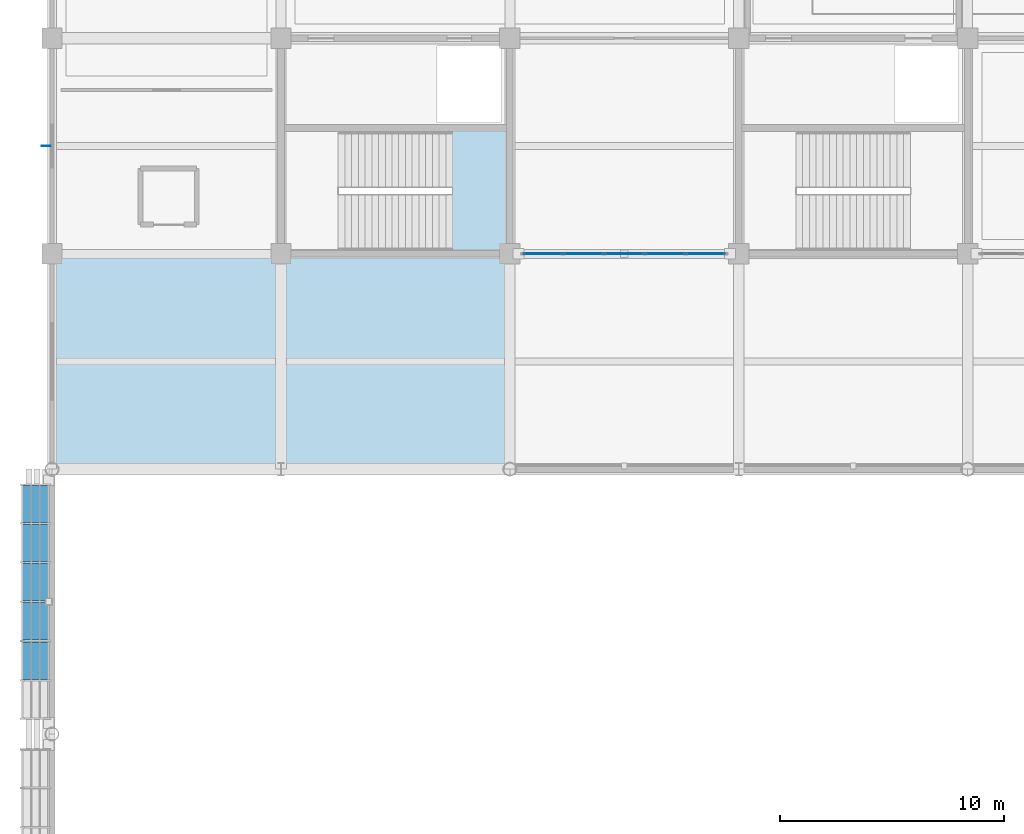
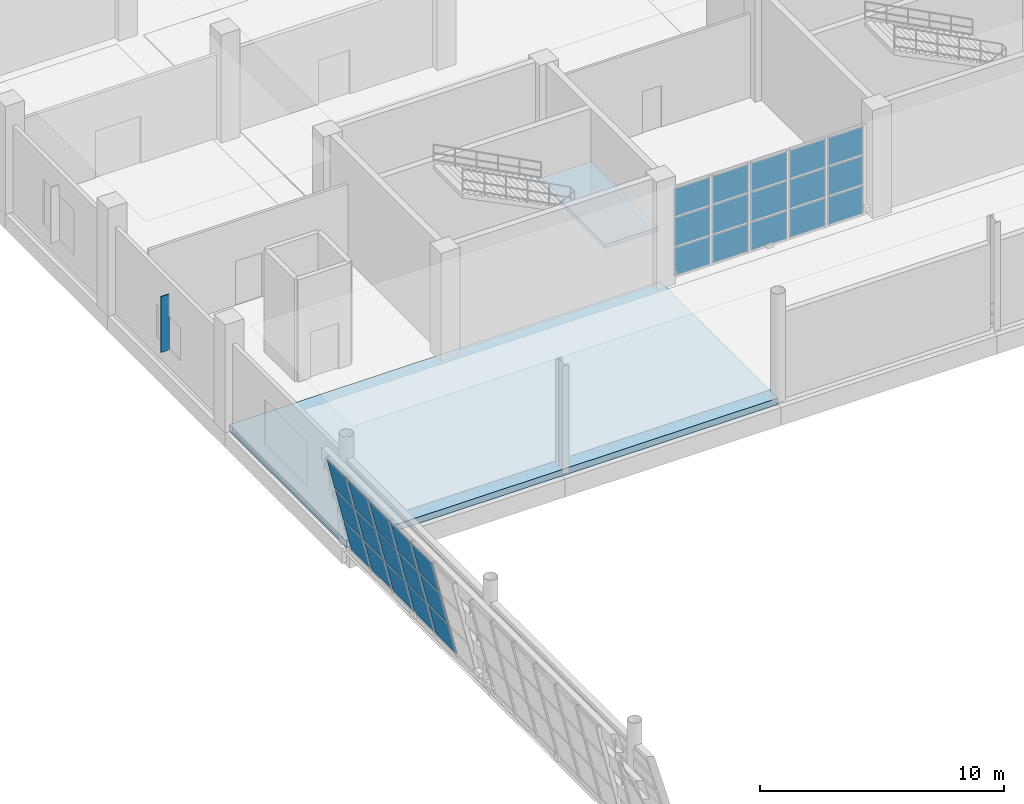
# One storey, part 108 of 175: 31 plates, 2 slabs, 3 elements without a shape of their own.
"""IFC4 building model written with IfcOpenShell, lengths in metres."""

from ifc_helpers import new_model, si_unit, direction, frame, origin, origin_2d, place, context, subcontext, project, spatial, polyline, rectangle, outline, extrude, material, layer, layer_set, type_object, element, aggregate, save


model = new_model("IFC4")

# Units and contexts
model_context = context("Model", 3, precision=1e-05, world=origin(), true_north=direction((0.0, 1.0)))
body_context = subcontext(model_context, "Body", "Model", "MODEL_VIEW")
ifc_project = project(units=[si_unit("LENGTHUNIT", "METRE"), si_unit("AREAUNIT", "SQUARE_METRE"), si_unit("VOLUMEUNIT", "CUBIC_METRE"), si_unit("PLANEANGLEUNIT", "RADIAN"), si_unit("MASSUNIT", "GRAM", prefix="KILO")], contexts=[model_context])

# Site, building, storey
site_placement = place(None, origin())
site = spatial("IfcSite", under=ifc_project, at=site_placement, CompositionType="ELEMENT")
building_placement = place(site_placement, origin())
building = spatial("IfcBuilding", under=site, at=building_placement, Name="Brelvane Convention Centre", CompositionType="ELEMENT")
storey_placement = place(building_placement, frame((0.0, 0.0, 5.39990234375)))
storey = spatial("IfcBuildingStorey", under=building, at=storey_placement, Name="L01", CompositionType="ELEMENT", Elevation=5.39990234375)

# Curtain wall, plates
ifc_material_1 = material(Name="Anodised Aluminium Alloy 6063-T6", Category="aluminium")
curtain_wall_type_1 = type_object("IfcCurtainWallType", Name="Curtain Wall CW-HULL-S", PredefinedType="USERDEFINED", material=ifc_material_1)
curtain_wall_1_placement = place(storey_placement, origin())
curtain_wall_1 = element("IfcCurtainWall", 1, at=curtain_wall_1_placement, inside=storey, type_object=curtain_wall_type_1, Name="Curtain Wall CW-HULL-S L01-HULL-W-L01-6", ObjectType="UNITISED", PredefinedType="USERDEFINED")
ifc_material_2 = material(Name="Double Glazed Low-E Laminated Unit")
ifc_layer_1 = layer(ifc_material_2, 0.031982421875)
ifc_layer_set_1 = layer_set([ifc_layer_1], Name="Double Glazed Low-E Laminated Unit")
plate_type_1 = type_object("IfcPlateType", Name="Curtain Panel CW-PG1", PredefinedType="CURTAIN_PANEL", material=ifc_layer_set_1)
plate_1_placement = place(storey_placement, frame((-0.543701171875, 90.237548828125, 1.74169921875), z_axis=(0.9735519665, 0.0, 0.22846568347), x_axis=(0.0, 1.0, 0.0)))
plate_1 = element("IfcPlate", 2, at=plate_1_placement, type_object=plate_type_1, Name="CW-HULL-S panel 2.2", PredefinedType="CURTAIN_PANEL", context=body_context, shape_type="SweptSolid", body=[
    extrude(outline(polyline([(0.0, 0.0), (1.675048828125, 0.0), (1.675048828125, 1.66061933454036), (0.0, 1.66061933454036), (0.0, 0.0)])), origin(), (0.0, 0.0, -1.0), 0.031982421875),
])
plate_2_placement = place(storey_placement, frame((-0.939453125, 90.237548828125, 3.428466796875), z_axis=(0.973592305748, 0.0, 0.228293719116), x_axis=(0.0, 1.0, 0.0)))
plate_2 = element("IfcPlate", 3, at=plate_2_placement, type_object=plate_type_1, Name="CW-HULL-S panel 2.3", PredefinedType="CURTAIN_PANEL", context=body_context, shape_type="SweptSolid", body=[
    extrude(outline(polyline([(0.0, 0.0), (1.675048828125, 0.0), (1.675048828125, 1.624440702142172), (0.0, 1.624440702142172), (0.0, 0.0)])), origin(), (0.0, 0.0, -1.0), 0.031982421875),
])
plate_3_placement = place(storey_placement, frame((-0.543701171875, 91.987548828125, 1.74169921875), z_axis=(0.9735519665, 0.0, 0.22846568347), x_axis=(0.0, 1.0, 0.0)))
plate_3 = element("IfcPlate", 4, at=plate_3_placement, type_object=plate_type_1, Name="CW-HULL-S panel 3.2", PredefinedType="CURTAIN_PANEL", context=body_context, shape_type="SweptSolid", body=[
    extrude(outline(polyline([(0.0, 0.0), (1.675048828125, 0.0), (1.675048828125, 1.66061933454036), (0.0, 1.66061933454036), (0.0, 0.0)])), origin(), (0.0, 0.0, -1.0), 0.031982421875),
])
plate_4_placement = place(storey_placement, frame((-0.939453125, 91.987548828125, 3.428466796875), z_axis=(0.973592305748, 0.0, 0.228293719116), x_axis=(0.0, 1.0, 0.0)))
plate_4 = element("IfcPlate", 5, at=plate_4_placement, type_object=plate_type_1, Name="CW-HULL-S panel 3.3", PredefinedType="CURTAIN_PANEL", context=body_context, shape_type="SweptSolid", body=[
    extrude(outline(polyline([(0.0, 0.0), (1.675048828125, 0.0), (1.675048828125, 1.624440702142172), (0.0, 1.624440702142172), (0.0, 0.0)])), origin(), (0.0, 0.0, -1.0), 0.031982421875),
])
plate_5_placement = place(storey_placement, frame((-0.543701171875, 93.737548828125, 1.74169921875), z_axis=(0.9735519665, 0.0, 0.22846568347), x_axis=(0.0, 1.0, 0.0)))
plate_5 = element("IfcPlate", 6, at=plate_5_placement, type_object=plate_type_1, Name="CW-HULL-S panel 4.2", PredefinedType="CURTAIN_PANEL", context=body_context, shape_type="SweptSolid", body=[
    extrude(outline(polyline([(0.0, 0.0), (1.675048828125, 0.0), (1.675048828125, 1.66061933454036), (0.0, 1.66061933454036), (0.0, 0.0)])), origin(), (0.0, 0.0, -1.0), 0.031982421875),
])
plate_6_placement = place(storey_placement, frame((-0.939453125, 93.737548828125, 3.428466796875), z_axis=(0.973592305748, 0.0, 0.228293719116), x_axis=(0.0, 1.0, 0.0)))
plate_6 = element("IfcPlate", 7, at=plate_6_placement, type_object=plate_type_1, Name="CW-HULL-S panel 4.3", PredefinedType="CURTAIN_PANEL", context=body_context, shape_type="SweptSolid", body=[
    extrude(outline(polyline([(0.0, 0.0), (1.675048828125, 0.0), (1.675048828125, 1.624440702142172), (0.0, 1.624440702142172), (0.0, 0.0)])), origin(), (0.0, 0.0, -1.0), 0.031982421875),
])
plate_7_placement = place(storey_placement, frame((-0.543701171875, 95.487548828125, 1.74169921875), z_axis=(0.9735519665, 0.0, 0.22846568347), x_axis=(0.0, 1.0, 0.0)))
plate_7 = element("IfcPlate", 8, at=plate_7_placement, type_object=plate_type_1, Name="CW-HULL-S panel 5.2", PredefinedType="CURTAIN_PANEL", context=body_context, shape_type="SweptSolid", body=[
    extrude(outline(polyline([(0.0, 0.0), (1.675048828125, 0.0), (1.675048828125, 1.66061933454036), (0.0, 1.66061933454036), (0.0, 0.0)])), origin(), (0.0, 0.0, -1.0), 0.031982421875),
])
plate_8_placement = place(storey_placement, frame((-0.939453125, 95.487548828125, 3.428466796875), z_axis=(0.973592305748, 0.0, 0.228293719116), x_axis=(0.0, 1.0, 0.0)))
plate_8 = element("IfcPlate", 9, at=plate_8_placement, type_object=plate_type_1, Name="CW-HULL-S panel 5.3", PredefinedType="CURTAIN_PANEL", context=body_context, shape_type="SweptSolid", body=[
    extrude(outline(polyline([(0.0, 0.0), (1.675048828125, 0.0), (1.675048828125, 1.624440702142172), (0.0, 1.624440702142172), (0.0, 0.0)])), origin(), (0.0, 0.0, -1.0), 0.031982421875),
])
plate_9_placement = place(storey_placement, frame((-0.543701171875, 97.237548828125, 1.74169921875), z_axis=(0.9735519665, 0.0, 0.22846568347), x_axis=(0.0, 1.0, 0.0)))
plate_9 = element("IfcPlate", 10, at=plate_9_placement, type_object=plate_type_1, Name="CW-HULL-S panel 6.2", PredefinedType="CURTAIN_PANEL", context=body_context, shape_type="SweptSolid", body=[
    extrude(outline(polyline([(0.0, 0.0), (1.637451171875, 0.0), (1.637451171875, 1.6606193345403597), (0.0, 1.6606193345403597), (0.0, 0.0)])), origin(), (0.0, 0.0, -1.0), 0.031982421875),
])
plate_10_placement = place(storey_placement, frame((-0.939453125, 97.237548828125, 3.428466796875), z_axis=(0.973592305748, 0.0, 0.228293719116), x_axis=(0.0, 1.0, 0.0)))
plate_10 = element("IfcPlate", 11, at=plate_10_placement, type_object=plate_type_1, Name="CW-HULL-S panel 6.3", PredefinedType="CURTAIN_PANEL", context=body_context, shape_type="SweptSolid", body=[
    extrude(outline(polyline([(0.0, 0.0), (1.637451171875, 0.0), (1.637451171875, 1.6244407021421723), (0.0, 1.6244407021421723), (0.0, 0.0)])), origin(), (0.0, 0.0, -1.0), 0.031982421875),
])

ifc_material_3 = material(Name="Anodised Aluminium Alloy 6063-T6", Category="aluminium")
curtain_wall_type_2 = type_object("IfcCurtainWallType", Name="Curtain Wall CW-COURT", PredefinedType="USERDEFINED", material=ifc_material_3)
curtain_wall_2_placement = place(storey_placement, origin())
curtain_wall_2 = element("IfcCurtainWall", 12, at=curtain_wall_2_placement, inside=storey, type_object=curtain_wall_type_2, Name="Curtain Wall CW-COURT L01-V4S-03", ObjectType="UNITISED", PredefinedType="USERDEFINED")
plate_11_placement = place(storey_placement, frame((21.878662109375, 109.199951171875, 0.070068359375), z_axis=(0.0, 0.0, 1.0), x_axis=(1.0, 0.0, 0.0)))
plate_11 = element("IfcPlate", 13, at=plate_11_placement, type_object=plate_type_1, Name="CW-COURT panel 1.1", PredefinedType="CURTAIN_PANEL", context=body_context, shape_type="SweptSolid", body=[
    extrude(rectangle(XDim=1.70751953125, YDim=0.031982421875, at=origin_2d()), origin(), (0.0, 0.0, 1.0), 1.39501953125),
])
plate_12_placement = place(storey_placement, frame((21.878662109375, 109.199951171875, 1.53515625), z_axis=(0.0, 0.0, 1.0), x_axis=(1.0, 0.0, 0.0)))
plate_12 = element("IfcPlate", 14, at=plate_12_placement, type_object=plate_type_1, Name="CW-COURT panel 1.2", PredefinedType="CURTAIN_PANEL", context=body_context, shape_type="SweptSolid", body=[
    extrude(rectangle(XDim=1.70751953125, YDim=0.031982421875, at=origin_2d()), origin(), (0.0, 0.0, 1.0), 1.429931640625),
])
plate_13_placement = place(storey_placement, frame((21.878662109375, 109.199951171875, 3.03515625), z_axis=(0.0, 0.0, 1.0), x_axis=(1.0, 0.0, 0.0)))
plate_13 = element("IfcPlate", 15, at=plate_13_placement, type_object=plate_type_1, Name="CW-COURT panel 1.3", PredefinedType="CURTAIN_PANEL", context=body_context, shape_type="SweptSolid", body=[
    extrude(rectangle(XDim=1.70751953125, YDim=0.031982421875, at=origin_2d()), origin(), (0.0, 0.0, 1.0), 1.39501953125),
])
plate_14_placement = place(storey_placement, frame((23.679931640625, 109.199951171875, 0.070068359375), z_axis=(0.0, 0.0, 1.0), x_axis=(1.0, 0.0, 0.0)))
plate_14 = element("IfcPlate", 16, at=plate_14_placement, type_object=plate_type_1, Name="CW-COURT panel 2.1", PredefinedType="CURTAIN_PANEL", context=body_context, shape_type="SweptSolid", body=[
    extrude(rectangle(XDim=1.7451171875, YDim=0.031982421875, at=origin_2d()), origin(), (0.0, 0.0, 1.0), 1.39501953125),
])
plate_15_placement = place(storey_placement, frame((23.679931640625, 109.199951171875, 1.53515625), z_axis=(0.0, 0.0, 1.0), x_axis=(1.0, 0.0, 0.0)))
plate_15 = element("IfcPlate", 17, at=plate_15_placement, type_object=plate_type_1, Name="CW-COURT panel 2.2", PredefinedType="CURTAIN_PANEL", context=body_context, shape_type="SweptSolid", body=[
    extrude(rectangle(XDim=1.7451171875, YDim=0.031982421875, at=origin_2d()), origin(), (0.0, 0.0, 1.0), 1.429931640625),
])
plate_16_placement = place(storey_placement, frame((23.679931640625, 109.199951171875, 3.03515625), z_axis=(0.0, 0.0, 1.0), x_axis=(1.0, 0.0, 0.0)))
plate_16 = element("IfcPlate", 18, at=plate_16_placement, type_object=plate_type_1, Name="CW-COURT panel 2.3", PredefinedType="CURTAIN_PANEL", context=body_context, shape_type="SweptSolid", body=[
    extrude(rectangle(XDim=1.7451171875, YDim=0.031982421875, at=origin_2d()), origin(), (0.0, 0.0, 1.0), 1.39501953125),
])
plate_17_placement = place(storey_placement, frame((25.5, 109.199951171875, 0.070068359375), z_axis=(0.0, 0.0, 1.0), x_axis=(1.0, 0.0, 0.0)))
plate_17 = element("IfcPlate", 19, at=plate_17_placement, type_object=plate_type_1, Name="CW-COURT panel 3.1", PredefinedType="CURTAIN_PANEL", context=body_context, shape_type="SweptSolid", body=[
    extrude(rectangle(XDim=1.7451171875, YDim=0.031982421875, at=origin_2d()), origin(), (0.0, 0.0, 1.0), 1.39501953125),
])
plate_18_placement = place(storey_placement, frame((25.5, 109.199951171875, 1.53515625), z_axis=(0.0, 0.0, 1.0), x_axis=(1.0, 0.0, 0.0)))
plate_18 = element("IfcPlate", 20, at=plate_18_placement, type_object=plate_type_1, Name="CW-COURT panel 3.2", PredefinedType="CURTAIN_PANEL", context=body_context, shape_type="SweptSolid", body=[
    extrude(rectangle(XDim=1.7451171875, YDim=0.031982421875, at=origin_2d()), origin(), (0.0, 0.0, 1.0), 1.429931640625),
])
plate_19_placement = place(storey_placement, frame((25.5, 109.199951171875, 3.03515625), z_axis=(0.0, 0.0, 1.0), x_axis=(1.0, 0.0, 0.0)))
plate_19 = element("IfcPlate", 21, at=plate_19_placement, type_object=plate_type_1, Name="CW-COURT panel 3.3", PredefinedType="CURTAIN_PANEL", context=body_context, shape_type="SweptSolid", body=[
    extrude(rectangle(XDim=1.7451171875, YDim=0.031982421875, at=origin_2d()), origin(), (0.0, 0.0, 1.0), 1.39501953125),
])
plate_20_placement = place(storey_placement, frame((27.320068359375, 109.199951171875, 0.070068359375), z_axis=(0.0, 0.0, 1.0), x_axis=(1.0, 0.0, 0.0)))
plate_20 = element("IfcPlate", 22, at=plate_20_placement, type_object=plate_type_1, Name="CW-COURT panel 4.1", PredefinedType="CURTAIN_PANEL", context=body_context, shape_type="SweptSolid", body=[
    extrude(rectangle(XDim=1.7451171875, YDim=0.031982421875, at=origin_2d()), origin(), (0.0, 0.0, 1.0), 1.39501953125),
])
plate_21_placement = place(storey_placement, frame((27.320068359375, 109.199951171875, 1.53515625), z_axis=(0.0, 0.0, 1.0), x_axis=(1.0, 0.0, 0.0)))
plate_21 = element("IfcPlate", 23, at=plate_21_placement, type_object=plate_type_1, Name="CW-COURT panel 4.2", PredefinedType="CURTAIN_PANEL", context=body_context, shape_type="SweptSolid", body=[
    extrude(rectangle(XDim=1.7451171875, YDim=0.031982421875, at=origin_2d()), origin(), (0.0, 0.0, 1.0), 1.429931640625),
])
plate_22_placement = place(storey_placement, frame((27.320068359375, 109.199951171875, 3.03515625), z_axis=(0.0, 0.0, 1.0), x_axis=(1.0, 0.0, 0.0)))
plate_22 = element("IfcPlate", 24, at=plate_22_placement, type_object=plate_type_1, Name="CW-COURT panel 4.3", PredefinedType="CURTAIN_PANEL", context=body_context, shape_type="SweptSolid", body=[
    extrude(rectangle(XDim=1.7451171875, YDim=0.031982421875, at=origin_2d()), origin(), (0.0, 0.0, 1.0), 1.39501953125),
])
plate_23_placement = place(storey_placement, frame((29.121337890625, 109.199951171875, 0.070068359375), z_axis=(0.0, 0.0, 1.0), x_axis=(1.0, 0.0, 0.0)))
plate_23 = element("IfcPlate", 25, at=plate_23_placement, type_object=plate_type_1, Name="CW-COURT panel 5.1", PredefinedType="CURTAIN_PANEL", context=body_context, shape_type="SweptSolid", body=[
    extrude(rectangle(XDim=1.70751953125, YDim=0.031982421875, at=origin_2d()), origin(), (0.0, 0.0, 1.0), 1.39501953125),
])
plate_24_placement = place(storey_placement, frame((29.121337890625, 109.199951171875, 1.53515625), z_axis=(0.0, 0.0, 1.0), x_axis=(1.0, 0.0, 0.0)))
plate_24 = element("IfcPlate", 26, at=plate_24_placement, type_object=plate_type_1, Name="CW-COURT panel 5.2", PredefinedType="CURTAIN_PANEL", context=body_context, shape_type="SweptSolid", body=[
    extrude(rectangle(XDim=1.70751953125, YDim=0.031982421875, at=origin_2d()), origin(), (0.0, 0.0, 1.0), 1.429931640625),
])
plate_25_placement = place(storey_placement, frame((29.121337890625, 109.199951171875, 3.03515625), z_axis=(0.0, 0.0, 1.0), x_axis=(1.0, 0.0, 0.0)))
plate_25 = element("IfcPlate", 27, at=plate_25_placement, type_object=plate_type_1, Name="CW-COURT panel 5.3", PredefinedType="CURTAIN_PANEL", context=body_context, shape_type="SweptSolid", body=[
    extrude(rectangle(XDim=1.70751953125, YDim=0.031982421875, at=origin_2d()), origin(), (0.0, 0.0, 1.0), 1.39501953125),
])
aggregate(curtain_wall_2, [plate_11, plate_12, plate_13, plate_14, plate_15, plate_16, plate_17, plate_18, plate_19, plate_20, plate_21, plate_22, plate_23, plate_24, plate_25])

# Plate
ifc_material_4 = material(Name="Patinated Copper-Bronze Alloy C22000")
ifc_layer_2 = layer(ifc_material_4, 0.048095703125)
ifc_layer_set_2 = layer_set([ifc_layer_2], Name="Patinated Copper-Bronze Alloy C22000")
plate_type_2 = type_object("IfcPlateType", Name="Curtain Panel CW-PS1", PredefinedType="CURTAIN_PANEL", material=ifc_layer_set_2)
plate_26_placement = place(storey_placement, frame((-0.156494140625, 90.237548828125, 0.090087890625), z_axis=(0.973600136957, 0.0, 0.228260319191), x_axis=(0.0, 1.0, 0.0)))
plate_26 = element("IfcPlate", 28, at=plate_26_placement, type_object=plate_type_2, Name="CW-HULL-S panel 2.1", PredefinedType="CURTAIN_PANEL", context=body_context, shape_type="SweptSolid", body=[
    extrude(outline(polyline([(0.0, 0.0), (1.675048828125, 0.0), (1.675048828125, 1.624678396532221), (0.0, 1.624678396532221), (0.0, 0.0)])), origin(), (0.0, 0.0, -1.0), 0.031982421875),
])

plate_27_placement = place(storey_placement, frame((-0.156494140625, 91.987548828125, 0.090087890625), z_axis=(0.973600136957, 0.0, 0.228260319191), x_axis=(0.0, 1.0, 0.0)))
plate_27 = element("IfcPlate", 29, at=plate_27_placement, type_object=plate_type_2, Name="CW-HULL-S panel 3.1", PredefinedType="CURTAIN_PANEL", context=body_context, shape_type="SweptSolid", body=[
    extrude(outline(polyline([(0.0, 0.0), (1.675048828125, 0.0), (1.675048828125, 1.624678396532221), (0.0, 1.624678396532221), (0.0, 0.0)])), origin(), (0.0, 0.0, -1.0), 0.031982421875),
])

plate_28_placement = place(storey_placement, frame((-0.156494140625, 93.737548828125, 0.090087890625), z_axis=(0.973600136957, 0.0, 0.228260319191), x_axis=(0.0, 1.0, 0.0)))
plate_28 = element("IfcPlate", 30, at=plate_28_placement, type_object=plate_type_2, Name="CW-HULL-S panel 4.1", PredefinedType="CURTAIN_PANEL", context=body_context, shape_type="SweptSolid", body=[
    extrude(outline(polyline([(0.0, 0.0), (1.675048828125, 0.0), (1.675048828125, 1.624678396532221), (0.0, 1.624678396532221), (0.0, 0.0)])), origin(), (0.0, 0.0, -1.0), 0.031982421875),
])

plate_29_placement = place(storey_placement, frame((-0.156494140625, 95.487548828125, 0.090087890625), z_axis=(0.973600136957, 0.0, 0.228260319191), x_axis=(0.0, 1.0, 0.0)))
plate_29 = element("IfcPlate", 31, at=plate_29_placement, type_object=plate_type_2, Name="CW-HULL-S panel 5.1", PredefinedType="CURTAIN_PANEL", context=body_context, shape_type="SweptSolid", body=[
    extrude(outline(polyline([(0.0, 0.0), (1.675048828125, 0.0), (1.675048828125, 1.624678396532221), (0.0, 1.624678396532221), (0.0, 0.0)])), origin(), (0.0, 0.0, -1.0), 0.031982421875),
])

plate_30_placement = place(storey_placement, frame((-0.156494140625, 97.237548828125, 0.090087890625), z_axis=(0.973600136957, 0.0, 0.228260319191), x_axis=(0.0, 1.0, 0.0)))
plate_30 = element("IfcPlate", 32, at=plate_30_placement, type_object=plate_type_2, Name="CW-HULL-S panel 6.1", PredefinedType="CURTAIN_PANEL", context=body_context, shape_type="SweptSolid", body=[
    extrude(outline(polyline([(0.0, 0.0), (1.637451171875, 0.0), (1.637451171875, 1.624678396532221), (0.0, 1.624678396532221), (0.0, 0.0)])), origin(), (0.0, 0.0, -1.0), 0.031982421875),
])

aggregate(curtain_wall_1, [plate_26, plate_1, plate_2, plate_27, plate_3, plate_4, plate_28, plate_5, plate_6, plate_29, plate_7, plate_8, plate_30, plate_9, plate_10])

ifc_material_5 = material(Name="Patinated Copper-Bronze Alloy C22000")
ifc_layer_3 = layer(ifc_material_5, 0.035888671875)
ifc_layer_set_3 = layer_set([ifc_layer_3], Name="Patinated Copper-Bronze Alloy C22000")
plate_type_3 = type_object("IfcPlateType", Name="Monsoon Sun Fin FN-CU3", PredefinedType="USERDEFINED", material=ifc_layer_set_3)
plate_31_placement = place(storey_placement, frame((-0.260009765625, 114.0, 0.85009765625), z_axis=(0.0, 0.0, 1.0), x_axis=(1.0, 0.0, 0.0)))
element("IfcPlate", 33, at=plate_31_placement, inside=storey, type_object=plate_type_3, Name="West Monsoon Fin L01-109", ObjectType="SHADING_DEVICE", PredefinedType="USERDEFINED", context=body_context, shape_type="SweptSolid", body=[
    extrude(rectangle(XDim=0.39990234375, YDim=0.035888671875, at=origin_2d()), origin(), (0.0, 0.0, 1.0), 2.800048828125),
])

# Stair, slab
ifc_material_6 = material(Name="Concrete M40", Category="concrete")
stair_type = type_object("IfcStairType", Name="Exit Stair ST-CORE", PredefinedType="HALF_TURN_STAIR", material=ifc_material_6)
stair_placement = place(storey_placement, origin())
stair = element("IfcStair", 34, at=stair_placement, inside=storey, type_object=stair_type, Name="Exit Stair ST-06 (L01 to L02)", PredefinedType="HALF_TURN_STAIR")
ifc_material_7 = material(Name="Concrete M40", Category="concrete")
ifc_layer_4 = layer(ifc_material_7, 0.199951171875)
ifc_layer_set_4 = layer_set([ifc_layer_4], Name="Concrete M40")
slab_type_1 = type_object("IfcSlabType", Name="Stair Landing SL-LND-200", PredefinedType="LANDING", material=ifc_layer_set_4)
slab_1_placement = place(storey_placement, frame((0.0, 0.0, 2.5)))
slab_1 = element("IfcSlab", 35, at=slab_1_placement, type_object=slab_type_1, Name="Stair ST-06 L01 Half Landing", PredefinedType="LANDING", context=body_context, shape_type="SweptSolid", body=[
    extrude(outline(polyline([(17.820068359375, 109.280029296875), (20.320068359375, 109.280029296875), (20.320068359375, 114.719970703125), (17.820068359375, 114.719970703125), (17.820068359375, 109.280029296875)])), origin(), (0.0, 0.0, 1.0), 0.2001953125),
])
aggregate(stair, [slab_1])

# Slab
ifc_material_8 = material(Name="Concrete M40", Category="concrete")
ifc_layer_5 = layer(ifc_material_8, 0.320068359375)
ifc_layer_set_5 = layer_set([ifc_layer_5], Name="Concrete M40")
slab_type_2 = type_object("IfcSlabType", Name="Structural Slab SL-FLR-320", PredefinedType="FLOOR", material=ifc_layer_set_5)
slab_2_placement = place(storey_placement, frame((0.0, 0.0, -0.31982421875)))
element("IfcSlab", 36, at=slab_2_placement, inside=storey, type_object=slab_type_2, Name="L01 Floor Slab MEET-L", PredefinedType="FLOOR", context=body_context, shape_type="SweptSolid", body=[
    extrude(outline(polyline([(0.0, 99.60009765625), (20.39990234375, 99.60009765625), (20.39990234375, 109.199951171875), (0.0, 109.199951171875), (0.0, 99.60009765625)])), origin(), (0.0, 0.0, 1.0), 0.31982421875),
])

save(model, "model.ifc")
